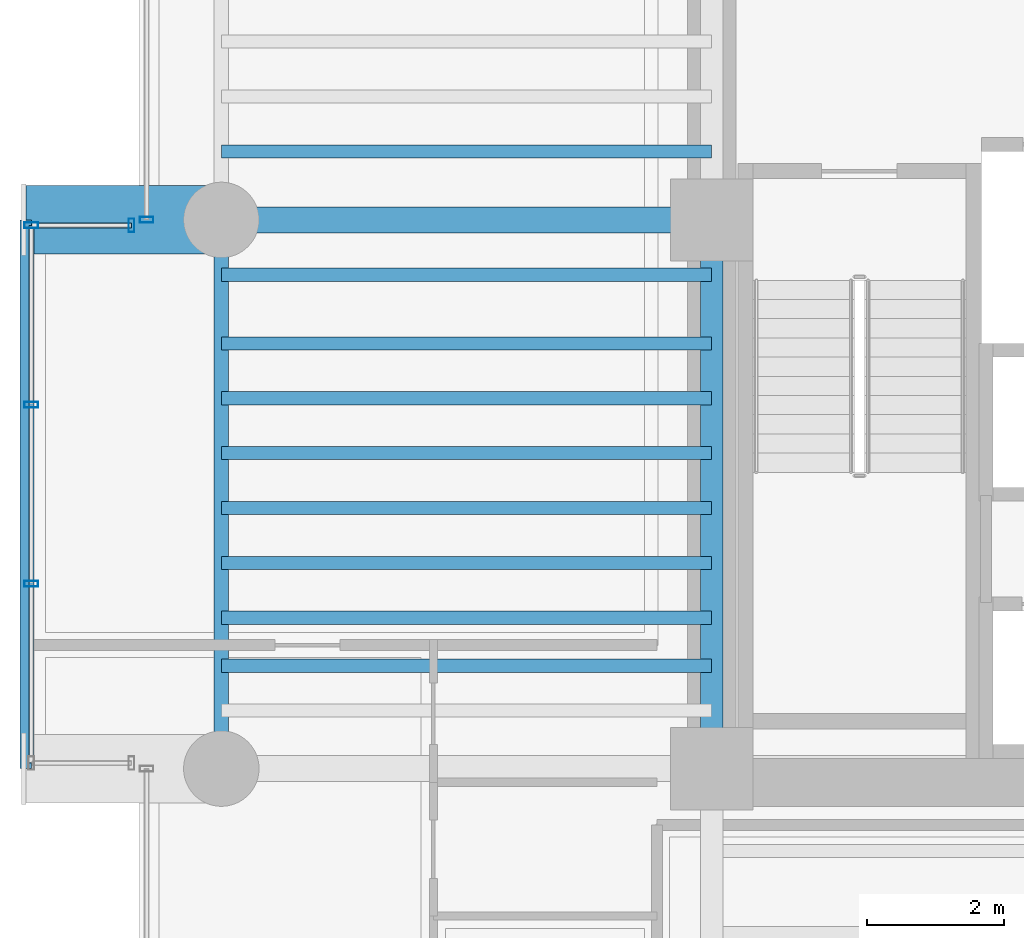
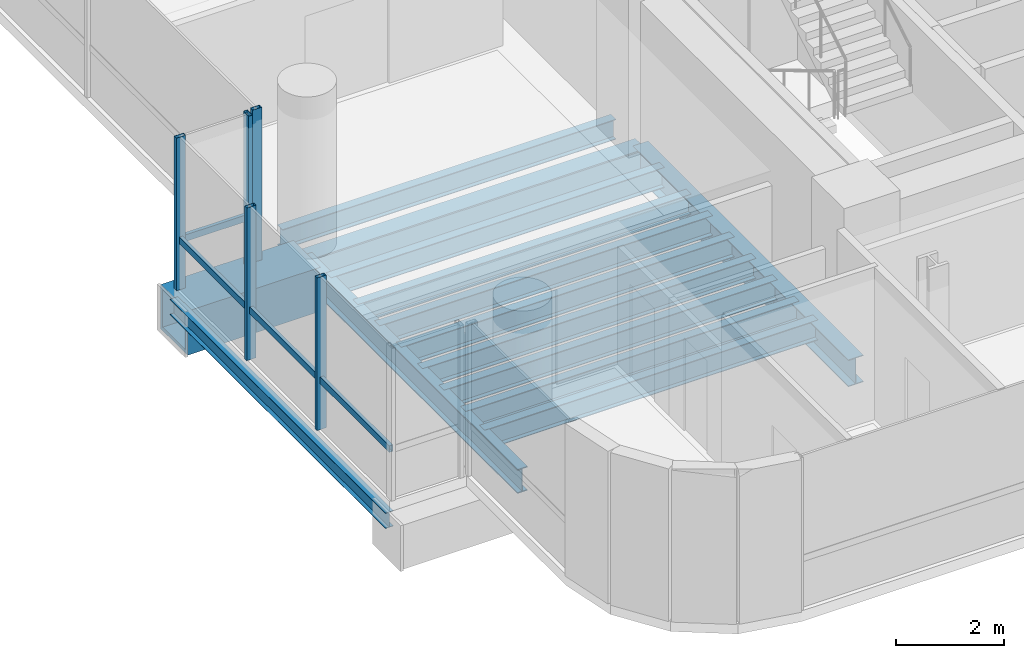
# One storey, part 4 of 38: 14 beams, 7 members, 3 elements without a shape of their own.
"""IFC4 building model written with IfcOpenShell, lengths in metres."""

from ifc_helpers import new_model, si_unit, direction, frame, origin, origin_2d, place, context, subcontext, project, spatial, hollow_rectangle, i_section, extrude, source, transform, mapped, material, material_profile, profile_set, type_object, element, aggregate, save


model = new_model("IFC4")

# Units and contexts
model_context = context("Model", 3, precision=1e-05, world=origin(), true_north=direction((0.0, 1.0)))
body_context = subcontext(model_context, "Body", "Model", "MODEL_VIEW")
ifc_project = project(units=[si_unit("LENGTHUNIT", "METRE"), si_unit("AREAUNIT", "SQUARE_METRE"), si_unit("VOLUMEUNIT", "CUBIC_METRE"), si_unit("PLANEANGLEUNIT", "RADIAN"), si_unit("MASSUNIT", "GRAM", prefix="KILO")], contexts=[model_context])

# Site, building, storey
site_placement = place(None, origin())
site = spatial("IfcSite", under=ifc_project, at=site_placement, CompositionType="ELEMENT")
building_placement = place(site_placement, origin())
building = spatial("IfcBuilding", under=site, at=building_placement, Name="Valdorenza Pilgrim Sanctuary Tower", CompositionType="ELEMENT")
storey_placement = place(building_placement, frame((0.0, 0.0, 131.60009765625)))
storey = spatial("IfcBuildingStorey", under=building, at=storey_placement, Name="L33", CompositionType="ELEMENT", Elevation=131.60009765625)

# Beams
ifc_material_1 = material(Name="Steel ASTM A992 Grade 50", Category="steel")
ifc_material_profile_1 = material_profile(ifc_material_1, i_section(OverallWidth=0.214111328125, OverallDepth=0.549072265625, WebThickness=0.0146484375, FlangeThickness=0.023681640625, at=origin_2d()), Name="W21X93")
ifc_profile_set_1 = profile_set([ifc_material_profile_1], Name="Steel ASTM A992 Grade 50")
beam_type_1 = type_object("IfcBeamType", Name="STR-BM-SPN-W21A", PredefinedType="SPANDREL", material=ifc_profile_set_1)
shared_shape_1 = source(origin(), body_context, "Body", "SweptSolid", [
    extrude(i_section(OverallWidth=0.214111328125, OverallDepth=0.549072265625, WebThickness=0.0146484375, FlangeThickness=0.023681640625, at=origin_2d()), origin(), (0.0, 0.0, 1.0), 8.0),
])
beam_1_placement = place(storey_placement, frame((-29.800048828125, -10.60009765625, -0.5146484375), z_axis=(0.0, 1.0, 0.0), x_axis=(-1.0, 0.0, 0.0)))
element("IfcBeam", 1, at=beam_1_placement, inside=storey, type_object=beam_type_1, Name="L33 Spandrel Beam WA-W-S1M0", PredefinedType="SPANDREL", context=body_context, shape_type="MappedRepresentation", body=[
    mapped(shared_shape_1, transform((0.0, 0.0, 0.0), x_axis=(1.0, 0.0, 0.0), y_axis=(0.0, 1.0, 0.0), z_axis=(0.0, 0.0, 1.0), scale=1.0)),
])
ifc_material_profile_2 = material_profile(ifc_material_1, i_section(OverallWidth=0.323974609375, OverallDepth=0.611083984375, WebThickness=0.0126953125, FlangeThickness=0.01904296875, at=origin_2d()), Name="W24X104")
ifc_profile_set_2 = profile_set([ifc_material_profile_2], Name="Steel ASTM A992 Grade 50")
beam_type_2 = type_object("IfcBeamType", Name="STR-BM-GRD-W24B", PredefinedType="BEAM", material=ifc_profile_set_2)
shared_shape_2 = source(origin(), body_context, "Body", "SweptSolid", [
    extrude(i_section(OverallWidth=0.323974609375, OverallDepth=0.611083984375, WebThickness=0.0126953125, FlangeThickness=0.01904296875, at=origin_2d()), origin(), (0.0, 0.0, 1.0), 8.0),
])
beam_2_placement = place(storey_placement, frame((-22.64990234375, -10.60009765625, -0.545654296875), z_axis=(0.0, 1.0, 0.0), x_axis=(-1.0, 0.0, 0.0)))
element("IfcBeam", 2, at=beam_2_placement, inside=storey, type_object=beam_type_2, Name="L33 Core Tie Girder CA-W-S1M0", PredefinedType="BEAM", context=body_context, shape_type="MappedRepresentation", body=[
    mapped(shared_shape_2, transform((0.0, 0.0, 0.0), x_axis=(1.0, 0.0, 0.0), y_axis=(0.0, 1.0, 0.0), z_axis=(0.0, 0.0, 1.0), scale=1.0)),
])
ifc_material_profile_3 = material_profile(ifc_material_1, i_section(OverallWidth=0.1708984375, OverallDepth=0.35107421875, WebThickness=0.0068359375, FlangeThickness=0.009765625, at=origin_2d()), Name="W14X30")
ifc_profile_set_3 = profile_set([ifc_material_profile_3], Name="Steel ASTM A992 Grade 50")
beam_type_3 = type_object("IfcBeamType", Name="STR-BM-BOX-W14", PredefinedType="BEAM", material=ifc_profile_set_3)
shared_shape_3 = source(origin(), body_context, "Body", "SweptSolid", [
    extrude(i_section(OverallWidth=0.1708984375, OverallDepth=0.35107421875, WebThickness=0.0068359375, FlangeThickness=0.009765625, at=origin_2d()), origin(), (0.0, 0.0, 1.0), 8.0),
])
beam_3_placement = place(storey_placement, frame((-32.64990234375, -10.60009765625, -0.41552734375), z_axis=(0.0, 1.0, 0.0), x_axis=(-1.0, 0.0, 0.0)))
element("IfcBeam", 3, at=beam_3_placement, inside=storey, type_object=beam_type_3, Name="L33 Glass Box Edge Beam BOX-WA-L33-F", PredefinedType="BEAM", context=body_context, shape_type="MappedRepresentation", body=[
    mapped(shared_shape_3, transform((0.0, 0.0, 0.0), x_axis=(1.0, 0.0, 0.0), y_axis=(0.0, 1.0, 0.0), z_axis=(0.0, 0.0, 1.0), scale=1.0)),
])
ifc_material_profile_4 = material_profile(ifc_material_1, i_section(OverallWidth=0.382080078125, OverallDepth=0.779052734375, WebThickness=0.01806640625, FlangeThickness=0.030029296875, at=origin_2d()), Name="W30X191")
ifc_profile_set_4 = profile_set([ifc_material_profile_4], Name="Steel ASTM A992 Grade 50")
beam_type_4 = type_object("IfcBeamType", Name="STR-BM-GRD-W30", PredefinedType="BEAM", material=ifc_profile_set_4)
shared_shape_4 = source(origin(), body_context, "Body", "SweptSolid", [
    extrude(i_section(OverallWidth=0.382080078125, OverallDepth=0.779052734375, WebThickness=0.01806640625, FlangeThickness=0.030029296875, at=origin_2d()), origin(), (0.0, 0.0, 1.0), 7.150146484375),
])
beam_4_placement = place(storey_placement, frame((-29.800048828125, -2.60009765625, -0.629638671875), z_axis=(1.0, 0.0, 0.0), x_axis=(0.0, 1.0, 0.0)))
element("IfcBeam", 4, at=beam_4_placement, inside=storey, type_object=beam_type_4, Name="L33 Floor Girder WA-XW-M0", PredefinedType="BEAM", context=body_context, shape_type="MappedRepresentation", body=[
    mapped(shared_shape_4, transform((0.0, 0.0, 0.0), x_axis=(1.0, 0.0, 0.0), y_axis=(0.0, 1.0, 0.0), z_axis=(0.0, 0.0, 1.0), scale=1.0)),
])
ifc_material_profile_5 = material_profile(ifc_material_1, i_section(OverallWidth=0.19091796875, OverallDepth=0.45703125, WebThickness=0.009033203125, FlangeThickness=0.014404296875, at=origin_2d()), Name="W18X50")
ifc_profile_set_5 = profile_set([ifc_material_profile_5], Name="Steel ASTM A992 Grade 50")
beam_type_5 = type_object("IfcBeamType", Name="STR-BM-JST-W18B", PredefinedType="JOIST", material=ifc_profile_set_5)
shared_shape_5 = source(origin(), body_context, "Body", "SweptSolid", [
    extrude(i_section(OverallWidth=0.19091796875, OverallDepth=0.45703125, WebThickness=0.009033203125, FlangeThickness=0.014404296875, at=origin_2d()), origin(), (0.0, 0.0, 1.0), 7.150146484375),
])
for number, where, z_axis, x_axis, name in (
    (5, (-29.800048828125, -9.10009765625, -0.468505859375), (1.0, 0.0, 0.0), (0.0, 1.0, 0.0), "L33 Composite Floor Joist JST-WA-2"),
    (6, (-29.800048828125, -8.39990234375, -0.468505859375), (1.0, 0.0, 0.0), (0.0, 1.0, 0.0), "L33 Composite Floor Joist JST-WA-3"),
    (7, (-29.800048828125, -7.60009765625, -0.468505859375), (1.0, 0.0, 0.0), (0.0, 1.0, 0.0), "L33 Composite Floor Joist JST-WA-4"),
    (8, (-29.800048828125, -6.800048828125, -0.468505859375), (1.0, 0.0, 0.0), (0.0, 1.0, 0.0), "L33 Composite Floor Joist JST-WA-5"),
    (9, (-29.800048828125, -6.0, -0.468505859375), (1.0, 0.0, 0.0), (0.0, 1.0, 0.0), "L33 Composite Floor Joist JST-WA-6"),
    (10, (-29.800048828125, -5.199951171875, -0.468505859375), (1.0, 0.0, 0.0), (0.0, 1.0, 0.0), "L33 Composite Floor Joist JST-WA-7"),
    (11, (-29.800048828125, -4.39990234375, -0.468505859375), (1.0, 0.0, 0.0), (0.0, 1.0, 0.0), "L33 Composite Floor Joist JST-WA-8"),
    (12, (-29.800048828125, -3.39990234375, -0.468505859375), (1.0, 0.0, 0.0), (0.0, 1.0, 0.0), "L33 Composite Floor Joist JST-WA-9"),
    (13, (-29.800048828125, -1.60009765625, -0.468505859375), (1.0, 0.0, 0.0), (0.0, 1.0, 0.0), "L33 Composite Floor Joist JST-WA-10"),
):
    element("IfcBeam", number, at=place(storey_placement, frame(where, z_axis=z_axis, x_axis=x_axis)), inside=storey, type_object=beam_type_5, Name=name, PredefinedType="JOIST", context=body_context, shape_type="MappedRepresentation", body=[
        mapped(shared_shape_5, transform((0.0, 0.0, 0.0), x_axis=(1.0, 0.0, 0.0), y_axis=(0.0, 1.0, 0.0), z_axis=(0.0, 0.0, 1.0), scale=1.0)),
    ])
ifc_material_2 = material(Name="Steel ASTM A572 Grade 42", Category="steel")
ifc_material_profile_6 = material_profile(ifc_material_2, hollow_rectangle(XDim=1.0, YDim=1.0, WallThickness=0.080078125, at=origin_2d()), Name="BOX 1000x1000x80")
ifc_profile_set_6 = profile_set([ifc_material_profile_6], Name="Steel ASTM A572 Grade 42")
beam_type_6 = type_object("IfcBeamType", Name="STR-BM-PROW-CANT", PredefinedType="BEAM", material=ifc_profile_set_6)
shared_shape_6 = source(origin(), body_context, "Body", "SweptSolid", [
    extrude(hollow_rectangle(XDim=1.0, YDim=1.0, WallThickness=0.080078125, at=origin_2d()), origin(), (0.0, 0.0, 1.0), 2.849853515625),
])
beam_5_placement = place(storey_placement, frame((-29.800048828125, -2.60009765625, -0.739990234375), z_axis=(-1.0, 0.0, 0.0), x_axis=(0.0, -1.0, 0.0)))
element("IfcBeam", 14, at=beam_5_placement, inside=storey, type_object=beam_type_6, Name="L33 Glass Box Cantilever Beam BOX-WA-L33-CT-N", PredefinedType="BEAM", context=body_context, shape_type="MappedRepresentation", body=[
    mapped(shared_shape_6, transform((0.0, 0.0, 0.0), x_axis=(1.0, 0.0, 0.0), y_axis=(0.0, 1.0, 0.0), z_axis=(0.0, 0.0, 1.0), scale=1.0)),
])

# Curtain wall, member
ifc_material_3 = material(Name="Curtain-wall IGU glazing", Category="glass")
curtain_wall_type = type_object("IfcCurtainWallType", Name="CW-SYS-02", PredefinedType="NOTDEFINED", material=ifc_material_3)
curtain_wall_1_placement = place(storey_placement, origin())
curtain_wall_1 = element("IfcCurtainWall", 15, at=curtain_wall_1_placement, inside=storey, type_object=curtain_wall_type, Name="L33 Curtain Wall CW-L33-1-1S2", PredefinedType="NOTDEFINED")
ifc_material_4 = material(Name="Anodised aluminium AW-6060", Category="aluminium")
ifc_material_profile_7 = material_profile(ifc_material_4, hollow_rectangle(XDim=0.0849609375, YDim=0.199951171875, WallThickness=0.0048828125, at=origin_2d()), Name="ALU-M 200x85x5")
ifc_profile_set_7 = profile_set([ifc_material_profile_7], Name="Anodised aluminium AW-6060")
member_type_1 = type_object("IfcMemberType", Name="CW-MUL-02", PredefinedType="MULLION", material=ifc_profile_set_7)
shared_shape_7 = source(origin(), body_context, "Body", "SweptSolid", [
    extrude(hollow_rectangle(XDim=0.0849609375, YDim=0.199951171875, WallThickness=0.0048828125, at=origin_2d()), origin(), (0.0, 0.0, 1.0), 3.4599609375),
])
member_1_placement = place(storey_placement, frame((-30.889892578125, -2.60009765625, 0.0), z_axis=(0.0, 0.0, 1.0), x_axis=(0.0, 1.0, 0.0)))
member_1 = element("IfcMember", 16, at=member_1_placement, type_object=member_type_1, Name="CW-L33-1-1S2 Mullion 1", PredefinedType="MULLION", context=body_context, shape_type="MappedRepresentation", body=[
    mapped(shared_shape_7, transform((0.0, 0.0, 0.0), x_axis=(1.0, 0.0, 0.0), y_axis=(0.0, 1.0, 0.0), z_axis=(0.0, 0.0, 1.0), scale=1.0)),
])
aggregate(curtain_wall_1, [member_1])

# Curtain wall, members
curtain_wall_2_placement = place(storey_placement, origin())
curtain_wall_2 = element("IfcCurtainWall", 17, at=curtain_wall_2_placement, inside=storey, type_object=curtain_wall_type, Name="L33 Curtain Wall CW-L33-BOX-WA-L33-F", PredefinedType="NOTDEFINED")
member_2_placement = place(storey_placement, frame((-32.570068359375, -7.90673828125, 0.0), z_axis=(0.0, 0.0, 1.0), x_axis=(0.0, 1.0, 0.0)))
member_2 = element("IfcMember", 18, at=member_2_placement, type_object=member_type_1, Name="CW-L33-BOX-WA-L33-F Mullion 2", PredefinedType="MULLION", context=body_context, shape_type="MappedRepresentation", body=[
    mapped(shared_shape_7, transform((0.0, 0.0, 0.0), x_axis=(1.0, 0.0, 0.0), y_axis=(0.0, 1.0, 0.0), z_axis=(0.0, 0.0, 1.0), scale=1.0)),
])
member_3_placement = place(storey_placement, frame((-32.570068359375, -5.293212890625, 0.0), z_axis=(0.0, 0.0, 1.0), x_axis=(0.0, 1.0, 0.0)))
member_3 = element("IfcMember", 19, at=member_3_placement, type_object=member_type_1, Name="CW-L33-BOX-WA-L33-F Mullion 3", PredefinedType="MULLION", context=body_context, shape_type="MappedRepresentation", body=[
    mapped(shared_shape_7, transform((0.0, 0.0, 0.0), x_axis=(1.0, 0.0, 0.0), y_axis=(0.0, 1.0, 0.0), z_axis=(0.0, 0.0, 1.0), scale=1.0)),
])
member_4_placement = place(storey_placement, frame((-32.570068359375, -2.679931640625, 0.0), z_axis=(0.0, 0.0, 1.0), x_axis=(0.0, 1.0, 0.0)))
member_4 = element("IfcMember", 20, at=member_4_placement, type_object=member_type_1, Name="CW-L33-BOX-WA-L33-F Mullion 4", PredefinedType="MULLION", context=body_context, shape_type="MappedRepresentation", body=[
    mapped(shared_shape_7, transform((0.0, 0.0, 0.0), x_axis=(1.0, 0.0, 0.0), y_axis=(0.0, 1.0, 0.0), z_axis=(0.0, 0.0, 1.0), scale=1.0)),
])

curtain_wall_3_placement = place(storey_placement, origin())
curtain_wall_3 = element("IfcCurtainWall", 21, at=curtain_wall_3_placement, inside=storey, type_object=curtain_wall_type, Name="L33 Curtain Wall CW-L33-BOX-WA-L33-N", PredefinedType="NOTDEFINED")
member_5_placement = place(storey_placement, frame((-31.110107421875, -2.679931640625, 0.0), z_axis=(0.0, 0.0, 1.0), x_axis=(1.0, 0.0, 0.0)))
member_5 = element("IfcMember", 22, at=member_5_placement, type_object=member_type_1, Name="CW-L33-BOX-WA-L33-N Mullion 2", PredefinedType="MULLION", context=body_context, shape_type="MappedRepresentation", body=[
    mapped(shared_shape_7, transform((0.0, 0.0, 0.0), x_axis=(1.0, 0.0, 0.0), y_axis=(0.0, 1.0, 0.0), z_axis=(0.0, 0.0, 1.0), scale=1.0)),
])
ifc_material_profile_8 = material_profile(ifc_material_4, hollow_rectangle(XDim=0.074951171875, YDim=0.14990234375, WallThickness=0.00390625, at=origin_2d()), Name="ALU-T 150x75x4")
ifc_profile_set_8 = profile_set([ifc_material_profile_8], Name="Anodised aluminium AW-6060")
member_type_2 = type_object("IfcMemberType", Name="CW-TRN-02", PredefinedType="USERDEFINED", material=ifc_profile_set_8)
shared_shape_8 = source(origin(), body_context, "Body", "SweptSolid", [
    extrude(hollow_rectangle(XDim=0.074951171875, YDim=0.14990234375, WallThickness=0.00390625, at=origin_2d()), origin(), (0.0, 0.0, 1.0), 1.4599609375),
])
member_6_placement = place(storey_placement, frame((-32.570068359375, -2.679931640625, 1.119873046875), z_axis=(1.0, 0.0, 0.0), x_axis=(0.0, 1.0, 0.0)))
member_6 = element("IfcMember", 23, at=member_6_placement, type_object=member_type_2, Name="CW-L33-BOX-WA-L33-N Transom 1", ObjectType="TRANSOM", PredefinedType="USERDEFINED", context=body_context, shape_type="MappedRepresentation", body=[
    mapped(shared_shape_8, transform((0.0, 0.0, 0.0), x_axis=(1.0, 0.0, 0.0), y_axis=(0.0, 1.0, 0.0), z_axis=(0.0, 0.0, 1.0), scale=1.0)),
])
aggregate(curtain_wall_3, [member_5, member_6])

# Member
shared_shape_9 = source(origin(), body_context, "Body", "SweptSolid", [
    extrude(hollow_rectangle(XDim=0.074951171875, YDim=0.14990234375, WallThickness=0.00390625, at=origin_2d()), origin(), (0.0, 0.0, 1.0), 7.840087890625),
])
member_7_placement = place(storey_placement, frame((-32.570068359375, -10.52001953125, 1.119873046875), z_axis=(0.0, 1.0, 0.0), x_axis=(-1.0, 0.0, 0.0)))
member_7 = element("IfcMember", 24, at=member_7_placement, type_object=member_type_2, Name="CW-L33-BOX-WA-L33-F Transom 1", ObjectType="TRANSOM", PredefinedType="USERDEFINED", context=body_context, shape_type="MappedRepresentation", body=[
    mapped(shared_shape_9, transform((0.0, 0.0, 0.0), x_axis=(1.0, 0.0, 0.0), y_axis=(0.0, 1.0, 0.0), z_axis=(0.0, 0.0, 1.0), scale=1.0)),
])

aggregate(curtain_wall_2, [member_2, member_3, member_4, member_7])

save(model, "model.ifc")
